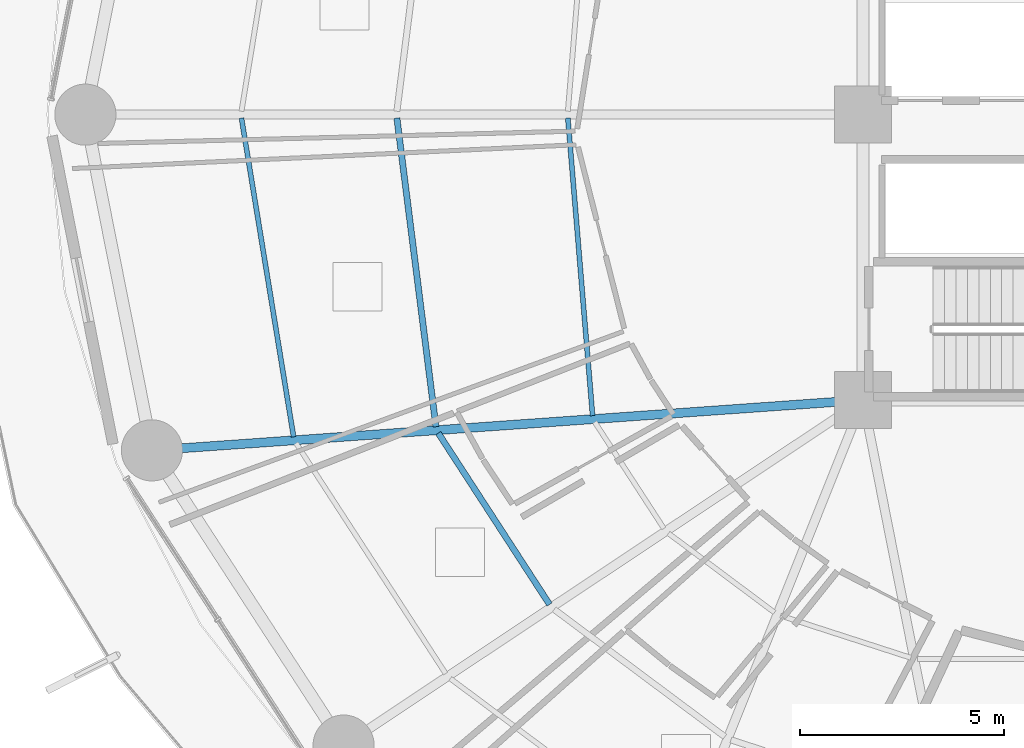
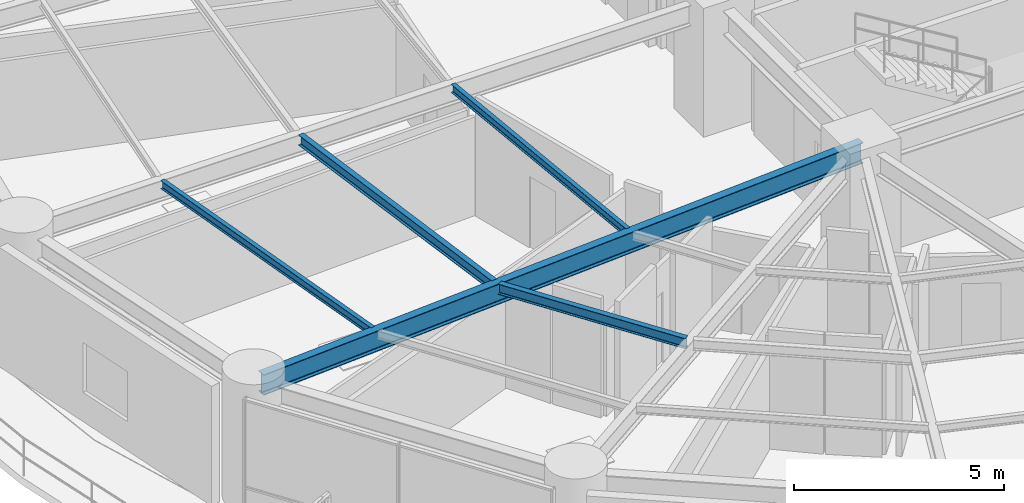
# One storey, part 5 of 33: 5 beams.
"""IFC4 building model written with IfcOpenShell, lengths in metres."""

from ifc_helpers import new_model, si_unit, direction, frame, origin, origin_2d, place, context, subcontext, project, spatial, i_section, extrude, material, material_profile, profile_set, type_object, element, save


model = new_model("IFC4")

# Units and contexts
model_context = context("Model", 3, precision=1e-05, world=origin(), true_north=direction((0.0, 1.0)))
body_context = subcontext(model_context, "Body", "Model", "MODEL_VIEW")
ifc_project = project(units=[si_unit("LENGTHUNIT", "METRE"), si_unit("AREAUNIT", "SQUARE_METRE"), si_unit("VOLUMEUNIT", "CUBIC_METRE"), si_unit("PLANEANGLEUNIT", "RADIAN"), si_unit("MASSUNIT", "GRAM", prefix="KILO")], contexts=[model_context])

# Site, building, storey
site_placement = place(None, origin())
site = spatial("IfcSite", under=ifc_project, at=site_placement, CompositionType="ELEMENT")
building_placement = place(site_placement, origin())
building = spatial("IfcBuilding", under=site, at=building_placement, Name="Kelanora Arch Commons", CompositionType="ELEMENT")
storey_placement = place(building_placement, frame((0.0, 0.0, 37.5)))
storey = spatial("IfcBuildingStorey", under=building, at=storey_placement, Name="L09", CompositionType="ELEMENT", Elevation=37.5)

# Beams
ifc_material = material(Name="Steel S355", Category="steel")
ifc_material_profile_1 = material_profile(ifc_material, i_section(OverallWidth=0.14990234375, OverallDepth=0.300048828125, WebThickness=0.007080078125, FlangeThickness=0.0107421875, FilletRadius=0.014892578125, at=origin_2d()), Name="IPE300")
ifc_profile_set_1 = profile_set([ifc_material_profile_1], Name="Steel S355")
beam_type_1 = type_object("IfcBeamType", Name="BM-JST-01", PredefinedType="JOIST", material=ifc_profile_set_1)
beam_1_placement = place(storey_placement, frame((54.562744140625, 57.915771484375, 3.340087890625), z_axis=(0.125565841651, -0.992085288375, 0.0), x_axis=(0.992085288375, 0.125565841651, 0.0)))
element("IfcBeam", 1, at=beam_1_placement, inside=storey, type_object=beam_type_1, Name="Secondary Chord Joist BJB-18 L09", PredefinedType="JOIST", context=body_context, shape_type="SweptSolid", body=[
    extrude(i_section(OverallWidth=0.14990234375, OverallDepth=0.300048828125, WebThickness=0.007080078125, FlangeThickness=0.0107421875, FilletRadius=0.014892578125, at=origin_2d()), origin(), (0.0, 0.0, 1.0), 7.63330078125),
])
beam_2_placement = place(storey_placement, frame((55.578125, 50.187255859375, 3.340087890625), z_axis=(0.544551588245, -0.838727350061, 0.0), x_axis=(0.838727350061, 0.544551588245, 0.0)))
element("IfcBeam", 2, at=beam_2_placement, inside=storey, type_object=beam_type_1, Name="Secondary Chord Joist BJB-20 L09", PredefinedType="JOIST", context=body_context, shape_type="SweptSolid", body=[
    extrude(i_section(OverallWidth=0.14990234375, OverallDepth=0.300048828125, WebThickness=0.007080078125, FlangeThickness=0.0107421875, FilletRadius=0.014892578125, at=origin_2d()), origin(), (0.0, 0.0, 1.0), 5.010986328125),
])
ifc_material_profile_2 = material_profile(ifc_material, i_section(OverallWidth=0.1201171875, OverallDepth=0.239990234375, WebThickness=0.006103515625, FlangeThickness=0.009765625, FilletRadius=0.014892578125, at=origin_2d()), Name="IPE240")
ifc_profile_set_2 = profile_set([ifc_material_profile_2], Name="Steel S355")
beam_type_2 = type_object("IfcBeamType", Name="BM-JST-02", PredefinedType="JOIST", material=ifc_profile_set_2)
beam_3_placement = place(storey_placement, frame((58.756591796875, 57.915283203125, 3.3701171875), z_axis=(0.082786209886, -0.996567330115, 0.0), x_axis=(0.996567330115, 0.082786209886, 0.0)))
element("IfcBeam", 3, at=beam_3_placement, inside=storey, type_object=beam_type_2, Name="Secondary Chord Joist BJA-18 L09", PredefinedType="JOIST", context=body_context, shape_type="SweptSolid", body=[
    extrude(i_section(OverallWidth=0.1201171875, OverallDepth=0.239990234375, WebThickness=0.006103515625, FlangeThickness=0.009765625, FilletRadius=0.014892578125, at=origin_2d()), origin(), (0.0, 0.0, 1.0), 7.325439453125),
])
beam_4_placement = place(storey_placement, frame((50.749755859375, 57.916015625, 3.3701171875), z_axis=(0.161400737199, -0.986888951216, 0.0), x_axis=(0.986888951216, 0.161400737199, 0.0)))
element("IfcBeam", 4, at=beam_4_placement, inside=storey, type_object=beam_type_2, Name="Secondary Chord Joist BJC-18 L09", PredefinedType="JOIST", context=body_context, shape_type="SweptSolid", body=[
    extrude(i_section(OverallWidth=0.1201171875, OverallDepth=0.239990234375, WebThickness=0.006103515625, FlangeThickness=0.009765625, FilletRadius=0.014892578125, at=origin_2d()), origin(), (0.0, 0.0, 1.0), 7.9248046875),
])
ifc_material_profile_3 = material_profile(ifc_material, i_section(OverallWidth=0.219970703125, OverallDepth=0.60009765625, WebThickness=0.011962890625, FlangeThickness=0.01904296875, FilletRadius=0.02392578125, at=origin_2d()), Name="IPE600")
ifc_profile_set_3 = profile_set([ifc_material_profile_3], Name="Steel S355")
beam_type_3 = type_object("IfcBeamType", Name="BM-RAD-Z1", PredefinedType="BEAM", material=ifc_profile_set_3)
beam_5_placement = place(storey_placement, frame((66.0, 51.0, 3.18994140625), z_axis=(-0.997500932078, -0.070653312055, 0.0), x_axis=(0.070653312055, -0.997500932078, 0.0)))
element("IfcBeam", 5, at=beam_5_placement, inside=storey, type_object=beam_type_3, Name="Radial Floor Girder BR-20 L09", PredefinedType="BEAM", context=body_context, shape_type="SweptSolid", body=[
    extrude(i_section(OverallWidth=0.219970703125, OverallDepth=0.60009765625, WebThickness=0.011962890625, FlangeThickness=0.01904296875, FilletRadius=0.02392578125, at=origin_2d()), origin(), (0.0, 0.0, 1.0), 17.2705078125),
])

save(model, "model.ifc")
